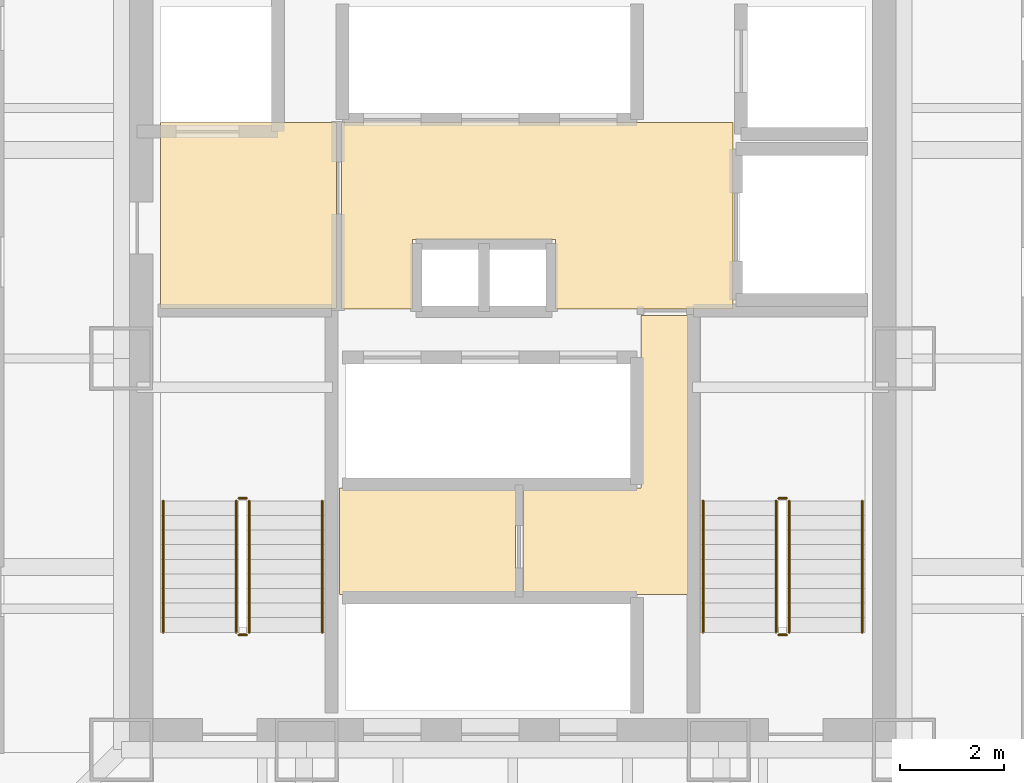
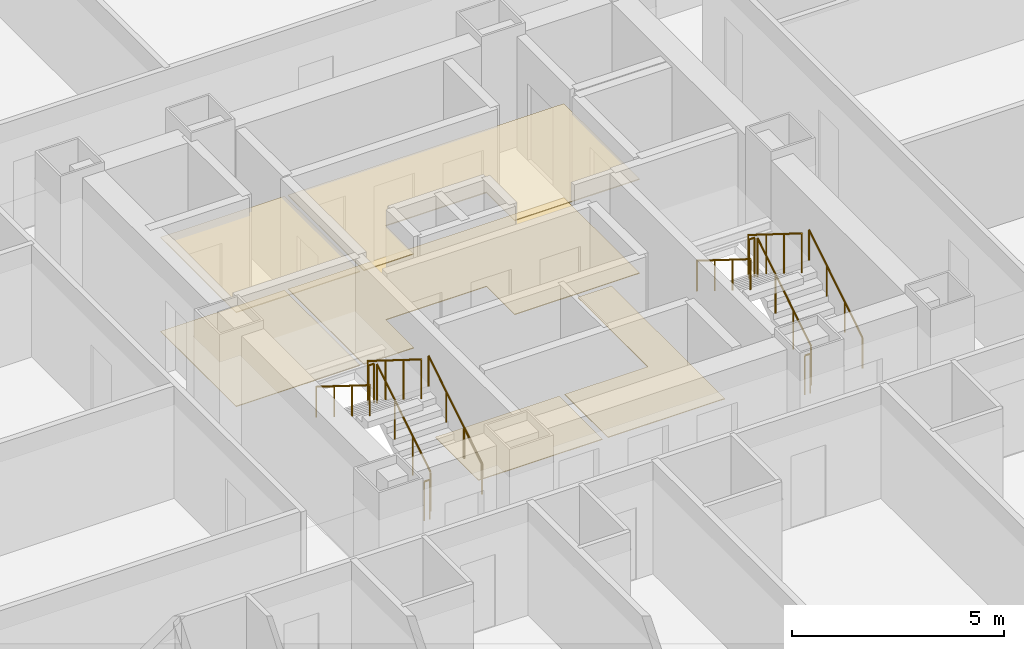
# One storey, part 15 of 16: 12 railings, 6 coverings.
"""IFC4 building model written with IfcOpenShell, lengths in metres."""

from ifc_helpers import new_model, si_unit, direction, frame, origin, origin_2d, place, context, subcontext, project, spatial, polyline, circle, outline, extrude, material, layer, layer_set, type_object, element, save


model = new_model("IFC4")

# Units and contexts
model_context = context("Model", 3, precision=1e-05, world=origin(), true_north=direction((0.0, 1.0)))
body_context = subcontext(model_context, "Body", "Model", "MODEL_VIEW")
ifc_project = project(units=[si_unit("LENGTHUNIT", "METRE"), si_unit("AREAUNIT", "SQUARE_METRE"), si_unit("VOLUMEUNIT", "CUBIC_METRE"), si_unit("PLANEANGLEUNIT", "RADIAN"), si_unit("MASSUNIT", "GRAM", prefix="KILO")], contexts=[model_context])

# Site, building, storey
site_placement = place(None, origin())
site = spatial("IfcSite", under=ifc_project, at=site_placement, CompositionType="ELEMENT")
building_placement = place(site_placement, origin())
building = spatial("IfcBuilding", under=site, at=building_placement, Name="Trevonay Congress Spire", CompositionType="ELEMENT")
storey_placement = place(building_placement, frame((0.0, 0.0, 65.5)))
storey = spatial("IfcBuildingStorey", under=building, at=storey_placement, Name="L16", CompositionType="ELEMENT", Elevation=65.5)

# Coverings
ifc_material_1 = material(Name="Acoustic Mineral Fibre Board", Category="gypsum")
ifc_layer_1 = layer(ifc_material_1, 0.02490234375, Name="Acoustic Mineral Fibre Board")
ifc_layer_set_1 = layer_set([ifc_layer_1], Name="Acoustic Mineral Fibre Board")
covering_type_1 = type_object("IfcCoveringType", Name="COV-CEIL-ACOUSTIC", PredefinedType="CEILING", material=ifc_layer_set_1)
covering_1_placement = place(storey_placement, frame((0.0, 0.0, 2.699951171875)))
element("IfcCovering", 1, at=covering_1_placement, inside=storey, type_object=covering_type_1, Name="L16 Firefighting Lift Lobby West acoustic suspended ceiling", PredefinedType="CEILING", context=body_context, shape_type="SweptSolid", body=[
    extrude(outline(polyline([(-6.75, 0.9599609375), (-3.3798828125, 0.9599609375), (-3.3798828125, 4.52001953125), (-6.75, 4.52001953125), (-6.75, 0.9599609375)])), origin(), (0.0, 0.0, 1.0), 0.025146484375),
])
covering_2_placement = place(storey_placement, frame((0.0, 0.0, 2.699951171875)))
element("IfcCovering", 2, at=covering_2_placement, inside=storey, type_object=covering_type_1, Name="L16 Central and High-Rise Passenger Lift Lobby acoustic suspended ceiling", PredefinedType="CEILING", context=body_context, shape_type="SweptSolid", body=[
    extrude(outline(polyline([(-3.280029296875, 0.949951171875), (-1.919921875, 0.949951171875), (-1.919921875, 2.280029296875), (0.820068359375, 2.280029296875), (0.820068359375, 0.949951171875), (4.219970703125, 0.949951171875), (4.219970703125, 4.52001953125), (-3.280029296875, 4.52001953125), (-3.280029296875, 0.949951171875)])), origin(), (0.0, 0.0, 1.0), 0.025146484375),
])
ifc_material_2 = material(Name="Polished Granite Floor Tile", Category="masonry")
ifc_layer_2 = layer(ifc_material_2, 0.02001953125, Name="Polished Granite Floor Tile")
ifc_layer_set_2 = layer_set([ifc_layer_2], Name="Polished Granite Floor Tile")
covering_type_2 = type_object("IfcCoveringType", Name="COV-FLOOR-STONE", PredefinedType="FLOORING", material=ifc_layer_set_2)
covering_3_placement = place(storey_placement, origin())
element("IfcCovering", 3, at=covering_3_placement, inside=storey, type_object=covering_type_2, Name="L16 Firefighting Lift Lobby West floor finish", PredefinedType="FLOORING", context=body_context, shape_type="SweptSolid", body=[
    extrude(outline(polyline([(-6.75, 0.9599609375), (-3.3798828125, 0.9599609375), (-3.3798828125, 4.52001953125), (-6.75, 4.52001953125), (-6.75, 0.9599609375)])), origin(), (0.0, 0.0, 1.0), 0.02001953125),
])
covering_4_placement = place(storey_placement, origin())
element("IfcCovering", 4, at=covering_4_placement, inside=storey, type_object=covering_type_2, Name="L16 Central and High-Rise Passenger Lift Lobby floor finish", PredefinedType="FLOORING", context=body_context, shape_type="SweptSolid", body=[
    extrude(outline(polyline([(-3.280029296875, 0.949951171875), (-1.919921875, 0.949951171875), (-1.919921875, 2.280029296875), (0.820068359375, 2.280029296875), (0.820068359375, 0.949951171875), (4.219970703125, 0.949951171875), (4.219970703125, 4.52001953125), (-3.280029296875, 4.52001953125), (-3.280029296875, 0.949951171875)])), origin(), (0.0, 0.0, 1.0), 0.02001953125),
])
covering_5_placement = place(storey_placement, origin())
element("IfcCovering", 5, at=covering_5_placement, inside=storey, type_object=covering_type_2, Name="L16 Cleaner and Linen Closet floor finish", PredefinedType="FLOORING", context=body_context, shape_type="SweptSolid", body=[
    extrude(outline(polyline([(-3.320068359375, -4.52001953125), (0.050048828125, -4.52001953125), (0.050048828125, -2.47998046875), (-3.320068359375, -2.47998046875), (-3.320068359375, -4.52001953125)])), origin(), (0.0, 0.0, 1.0), 0.02001953125),
])
covering_6_placement = place(storey_placement, origin())
element("IfcCovering", 6, at=covering_6_placement, inside=storey, type_object=covering_type_2, Name="L16 BMS Control Room floor finish", PredefinedType="FLOORING", context=body_context, shape_type="SweptSolid", body=[
    extrude(outline(polyline([(0.199951171875, -4.52001953125), (3.3798828125, -4.52001953125), (3.3798828125, 0.820068359375), (2.4599609375, 0.820068359375), (2.4599609375, -2.47998046875), (0.199951171875, -2.47998046875), (0.199951171875, -4.52001953125)])), origin(), (0.0, 0.0, 1.0), 0.02001953125),
])

# Railings
ifc_material_3 = material(Name="Pale Anodised Aluminium EN AW-6063-T6", Category="aluminium")
railing_type_1 = type_object("IfcRailingType", Name="RAL-STAIR-GUARD-110", PredefinedType="GUARDRAIL", material=ifc_material_3)
railing_1_placement = place(storey_placement, frame((-5.050048828125, -5.25, 0.175048828125)))
element("IfcRailing", 7, at=railing_1_placement, inside=storey, type_object=railing_type_1, Name="L16 ST-1 stair guard 1", PredefinedType="GUARDRAIL", context=body_context, shape_type="SweptSolid", body=[
    extrude(circle(Radius=0.02392578125, at=origin_2d()), frame((0.0, 0.0, 1.1259765625), z_axis=(0.0, 0.848007534815, 0.529984170421), x_axis=(-1.0, 0.0, 0.0)), (0.0, 0.0, 1.0), 2.9716796875),
    extrude(circle(Radius=0.02099609375, at=origin_2d()), origin(), (0.0, 0.0, 1.0), 1.101806640625),
    extrude(circle(Radius=0.02099609375, at=origin_2d()), frame((0.0, 0.840087890625, 0.52490234375)), (0.0, 0.0, 1.0), 1.101806640625),
    extrude(circle(Radius=0.02099609375, at=origin_2d()), frame((0.0, 1.679931640625, 1.050048828125)), (0.0, 0.0, 1.0), 1.101806640625),
    extrude(circle(Radius=0.02099609375, at=origin_2d()), frame((0.0, 2.52001953125, 1.574951171875)), (0.0, 0.0, 1.0), 1.101806640625),
])
railing_2_placement = place(storey_placement, frame((-5.10009765625, -2.679931640625, 1.75)))
element("IfcRailing", 8, at=railing_2_placement, inside=storey, type_object=railing_type_1, Name="L16 ST-1 stair guard 2", PredefinedType="GUARDRAIL", context=body_context, shape_type="SweptSolid", body=[
    extrude(circle(Radius=0.02392578125, at=origin_2d()), frame((0.0, 0.0, 1.1259765625), z_axis=(-1.0, 0.0, 0.0), x_axis=(0.0, -1.0, 0.0)), (0.0, 0.0, 1.0), 0.14990234375),
    extrude(circle(Radius=0.02099609375, at=origin_2d()), origin(), (0.0, 0.0, 1.0), 1.101806640625),
    extrude(circle(Radius=0.02099609375, at=origin_2d()), frame((-0.14990234375, 0.0, 0.0)), (0.0, 0.0, 1.0), 1.101806640625),
])
railing_3_placement = place(storey_placement, frame((-5.300048828125, -2.72998046875, 1.925048828125)))
element("IfcRailing", 9, at=railing_3_placement, inside=storey, type_object=railing_type_1, Name="L16 ST-1 stair guard 3", PredefinedType="GUARDRAIL", context=body_context, shape_type="SweptSolid", body=[
    extrude(circle(Radius=0.02392578125, at=origin_2d()), frame((0.0, 0.0, 1.1259765625), z_axis=(0.0, -0.848007534815, 0.529984170421), x_axis=(1.0, 0.0, 0.0)), (0.0, 0.0, 1.0), 2.9716796875),
    extrude(circle(Radius=0.02099609375, at=origin_2d()), origin(), (0.0, 0.0, 1.0), 1.101806640625),
    extrude(circle(Radius=0.02099609375, at=origin_2d()), frame((0.0, -0.840087890625, 0.52490234375)), (0.0, 0.0, 1.0), 1.101806640625),
    extrude(circle(Radius=0.02099609375, at=origin_2d()), frame((0.0, -1.679931640625, 1.050048828125)), (0.0, 0.0, 1.0), 1.101806640625),
    extrude(circle(Radius=0.02099609375, at=origin_2d()), frame((0.0, -2.52001953125, 1.574951171875)), (0.0, 0.0, 1.0), 1.101806640625),
])
railing_4_placement = place(storey_placement, frame((-5.10009765625, -5.300048828125, 0.0)))
element("IfcRailing", 10, at=railing_4_placement, inside=storey, type_object=railing_type_1, Name="L16 ST-1 stair guard 4", PredefinedType="GUARDRAIL", context=body_context, shape_type="SweptSolid", body=[
    extrude(circle(Radius=0.02392578125, at=origin_2d()), frame((0.0, 0.0, 1.1259765625), z_axis=(-1.0, 0.0, 0.0), x_axis=(0.0, -1.0, 0.0)), (0.0, 0.0, 1.0), 0.14990234375),
    extrude(circle(Radius=0.02099609375, at=origin_2d()), origin(), (0.0, 0.0, 1.0), 1.101806640625),
    extrude(circle(Radius=0.02099609375, at=origin_2d()), frame((-0.14990234375, 0.0, 0.0)), (0.0, 0.0, 1.0), 1.101806640625),
])
railing_5_placement = place(storey_placement, frame((5.300048828125, -5.25, 0.175048828125)))
element("IfcRailing", 11, at=railing_5_placement, inside=storey, type_object=railing_type_1, Name="L16 ST-2 stair guard 1", PredefinedType="GUARDRAIL", context=body_context, shape_type="SweptSolid", body=[
    extrude(circle(Radius=0.02392578125, at=origin_2d()), frame((0.0, 0.0, 1.1259765625), z_axis=(0.0, 0.848007534815, 0.529984170421), x_axis=(-1.0, 0.0, 0.0)), (0.0, 0.0, 1.0), 2.9716796875),
    extrude(circle(Radius=0.02099609375, at=origin_2d()), origin(), (0.0, 0.0, 1.0), 1.101806640625),
    extrude(circle(Radius=0.02099609375, at=origin_2d()), frame((0.0, 0.840087890625, 0.52490234375)), (0.0, 0.0, 1.0), 1.101806640625),
    extrude(circle(Radius=0.02099609375, at=origin_2d()), frame((0.0, 1.679931640625, 1.050048828125)), (0.0, 0.0, 1.0), 1.101806640625),
    extrude(circle(Radius=0.02099609375, at=origin_2d()), frame((0.0, 2.52001953125, 1.574951171875)), (0.0, 0.0, 1.0), 1.101806640625),
])
railing_6_placement = place(storey_placement, frame((5.25, -2.679931640625, 1.75)))
element("IfcRailing", 12, at=railing_6_placement, inside=storey, type_object=railing_type_1, Name="L16 ST-2 stair guard 2", PredefinedType="GUARDRAIL", context=body_context, shape_type="SweptSolid", body=[
    extrude(circle(Radius=0.02392578125, at=origin_2d()), frame((0.0, 0.0, 1.1259765625), z_axis=(-1.0, 0.0, 0.0), x_axis=(0.0, -1.0, 0.0)), (0.0, 0.0, 1.0), 0.14990234375),
    extrude(circle(Radius=0.02099609375, at=origin_2d()), origin(), (0.0, 0.0, 1.0), 1.101806640625),
    extrude(circle(Radius=0.02099609375, at=origin_2d()), frame((-0.14990234375, 0.0, 0.0)), (0.0, 0.0, 1.0), 1.101806640625),
])
railing_7_placement = place(storey_placement, frame((5.050048828125, -2.72998046875, 1.925048828125)))
element("IfcRailing", 13, at=railing_7_placement, inside=storey, type_object=railing_type_1, Name="L16 ST-2 stair guard 3", PredefinedType="GUARDRAIL", context=body_context, shape_type="SweptSolid", body=[
    extrude(circle(Radius=0.02392578125, at=origin_2d()), frame((0.0, 0.0, 1.1259765625), z_axis=(0.0, -0.848007534815, 0.529984170421), x_axis=(1.0, 0.0, 0.0)), (0.0, 0.0, 1.0), 2.9716796875),
    extrude(circle(Radius=0.02099609375, at=origin_2d()), origin(), (0.0, 0.0, 1.0), 1.101806640625),
    extrude(circle(Radius=0.02099609375, at=origin_2d()), frame((0.0, -0.840087890625, 0.52490234375)), (0.0, 0.0, 1.0), 1.101806640625),
    extrude(circle(Radius=0.02099609375, at=origin_2d()), frame((0.0, -1.679931640625, 1.050048828125)), (0.0, 0.0, 1.0), 1.101806640625),
    extrude(circle(Radius=0.02099609375, at=origin_2d()), frame((0.0, -2.52001953125, 1.574951171875)), (0.0, 0.0, 1.0), 1.101806640625),
])
railing_8_placement = place(storey_placement, frame((5.25, -5.300048828125, 0.0)))
element("IfcRailing", 14, at=railing_8_placement, inside=storey, type_object=railing_type_1, Name="L16 ST-2 stair guard 4", PredefinedType="GUARDRAIL", context=body_context, shape_type="SweptSolid", body=[
    extrude(circle(Radius=0.02392578125, at=origin_2d()), frame((0.0, 0.0, 1.1259765625), z_axis=(-1.0, 0.0, 0.0), x_axis=(0.0, -1.0, 0.0)), (0.0, 0.0, 1.0), 0.14990234375),
    extrude(circle(Radius=0.02099609375, at=origin_2d()), origin(), (0.0, 0.0, 1.0), 1.101806640625),
    extrude(circle(Radius=0.02099609375, at=origin_2d()), frame((-0.14990234375, 0.0, 0.0)), (0.0, 0.0, 1.0), 1.101806640625),
])
railing_type_2 = type_object("IfcRailingType", Name="RAL-STAIR-HANDRAIL", PredefinedType="HANDRAIL", material=ifc_material_3)
railing_9_placement = place(storey_placement, frame((-3.64990234375, -5.25, 0.175048828125)))
element("IfcRailing", 15, at=railing_9_placement, inside=storey, type_object=railing_type_2, Name="L16 ST-1 stair handrail 1", PredefinedType="HANDRAIL", context=body_context, shape_type="SweptSolid", body=[
    extrude(circle(Radius=0.02392578125, at=origin_2d()), frame((0.0, 0.0, 0.8759765625), z_axis=(0.0, 0.848007534815, 0.529984170421), x_axis=(-1.0, 0.0, 0.0)), (0.0, 0.0, 1.0), 2.9716796875),
    extrude(circle(Radius=0.02099609375, at=origin_2d()), origin(), (0.0, 0.0, 1.0), 0.851806640625),
    extrude(circle(Radius=0.02099609375, at=origin_2d()), frame((0.0, 0.840087890625, 0.52490234375)), (0.0, 0.0, 1.0), 0.851806640625),
    extrude(circle(Radius=0.02099609375, at=origin_2d()), frame((0.0, 1.679931640625, 1.050048828125)), (0.0, 0.0, 1.0), 0.851806640625),
    extrude(circle(Radius=0.02099609375, at=origin_2d()), frame((0.0, 2.52001953125, 1.574951171875)), (0.0, 0.0, 1.0), 0.851806640625),
])
railing_10_placement = place(storey_placement, frame((-6.699951171875, -2.72998046875, 1.925048828125)))
element("IfcRailing", 16, at=railing_10_placement, inside=storey, type_object=railing_type_2, Name="L16 ST-1 stair handrail 2", PredefinedType="HANDRAIL", context=body_context, shape_type="SweptSolid", body=[
    extrude(circle(Radius=0.02392578125, at=origin_2d()), frame((0.0, 0.0, 0.8759765625), z_axis=(0.0, -0.848007534815, 0.529984170421), x_axis=(1.0, 0.0, 0.0)), (0.0, 0.0, 1.0), 2.9716796875),
    extrude(circle(Radius=0.02099609375, at=origin_2d()), origin(), (0.0, 0.0, 1.0), 0.851806640625),
    extrude(circle(Radius=0.02099609375, at=origin_2d()), frame((0.0, -0.840087890625, 0.52490234375)), (0.0, 0.0, 1.0), 0.851806640625),
    extrude(circle(Radius=0.02099609375, at=origin_2d()), frame((0.0, -1.679931640625, 1.050048828125)), (0.0, 0.0, 1.0), 0.851806640625),
    extrude(circle(Radius=0.02099609375, at=origin_2d()), frame((0.0, -2.52001953125, 1.574951171875)), (0.0, 0.0, 1.0), 0.851806640625),
])
railing_11_placement = place(storey_placement, frame((6.699951171875, -5.25, 0.175048828125)))
element("IfcRailing", 17, at=railing_11_placement, inside=storey, type_object=railing_type_2, Name="L16 ST-2 stair handrail 1", PredefinedType="HANDRAIL", context=body_context, shape_type="SweptSolid", body=[
    extrude(circle(Radius=0.02392578125, at=origin_2d()), frame((0.0, 0.0, 0.8759765625), z_axis=(0.0, 0.848007534815, 0.529984170421), x_axis=(-1.0, 0.0, 0.0)), (0.0, 0.0, 1.0), 2.9716796875),
    extrude(circle(Radius=0.02099609375, at=origin_2d()), origin(), (0.0, 0.0, 1.0), 0.851806640625),
    extrude(circle(Radius=0.02099609375, at=origin_2d()), frame((0.0, 0.840087890625, 0.52490234375)), (0.0, 0.0, 1.0), 0.851806640625),
    extrude(circle(Radius=0.02099609375, at=origin_2d()), frame((0.0, 1.679931640625, 1.050048828125)), (0.0, 0.0, 1.0), 0.851806640625),
    extrude(circle(Radius=0.02099609375, at=origin_2d()), frame((0.0, 2.52001953125, 1.574951171875)), (0.0, 0.0, 1.0), 0.851806640625),
])
railing_12_placement = place(storey_placement, frame((3.64990234375, -2.72998046875, 1.925048828125)))
element("IfcRailing", 18, at=railing_12_placement, inside=storey, type_object=railing_type_2, Name="L16 ST-2 stair handrail 2", PredefinedType="HANDRAIL", context=body_context, shape_type="SweptSolid", body=[
    extrude(circle(Radius=0.02392578125, at=origin_2d()), frame((0.0, 0.0, 0.8759765625), z_axis=(0.0, -0.848007534815, 0.529984170421), x_axis=(1.0, 0.0, 0.0)), (0.0, 0.0, 1.0), 2.9716796875),
    extrude(circle(Radius=0.02099609375, at=origin_2d()), origin(), (0.0, 0.0, 1.0), 0.851806640625),
    extrude(circle(Radius=0.02099609375, at=origin_2d()), frame((0.0, -0.840087890625, 0.52490234375)), (0.0, 0.0, 1.0), 0.851806640625),
    extrude(circle(Radius=0.02099609375, at=origin_2d()), frame((0.0, -1.679931640625, 1.050048828125)), (0.0, 0.0, 1.0), 0.851806640625),
    extrude(circle(Radius=0.02099609375, at=origin_2d()), frame((0.0, -2.52001953125, 1.574951171875)), (0.0, 0.0, 1.0), 0.851806640625),
])

save(model, "model.ifc")
